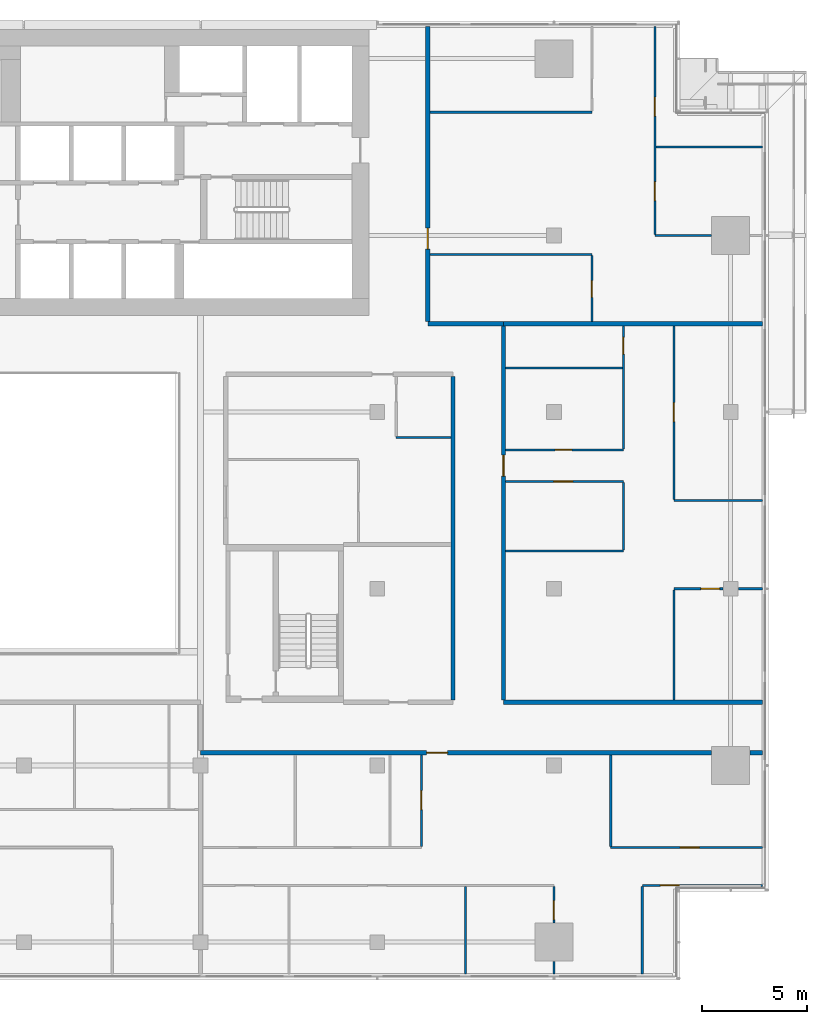
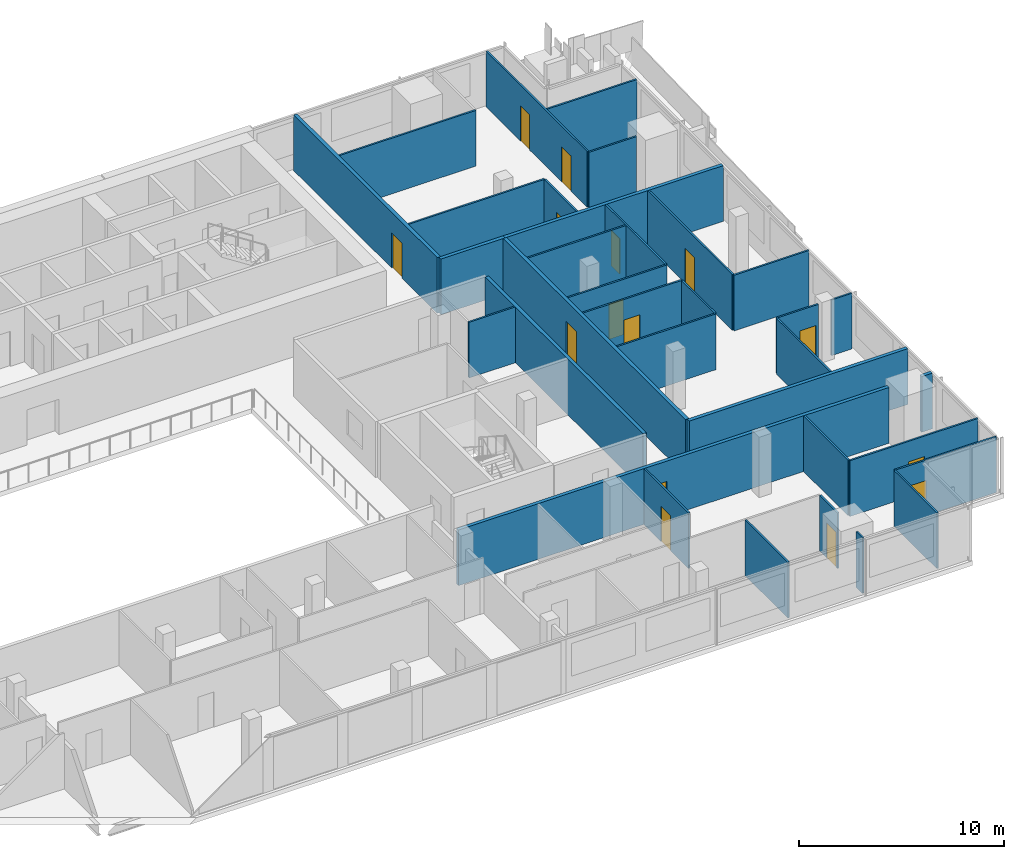
# One storey, part 22 of 29: 34 walls, 15 doors, 15 openings.
"""IFC4 building model written with IfcOpenShell, lengths in metres."""

from ifc_helpers import new_model, si_unit, direction, frame, frame_2d, origin, place, context, subcontext, project, spatial, rectangle, extrude, material, layer, layer_set, type_object, element, fill, save


model = new_model("IFC4")

# Units and contexts
model_context = context("Model", 3, precision=1e-05, world=origin(), true_north=direction((0.0, 1.0)))
body_context = subcontext(model_context, "Body", "Model", "MODEL_VIEW")
ifc_project = project(units=[si_unit("LENGTHUNIT", "METRE"), si_unit("AREAUNIT", "SQUARE_METRE"), si_unit("VOLUMEUNIT", "CUBIC_METRE"), si_unit("PLANEANGLEUNIT", "RADIAN"), si_unit("MASSUNIT", "GRAM", prefix="KILO")], contexts=[model_context])

# Site, building, storey
site_placement = place(None, origin())
site = spatial("IfcSite", under=ifc_project, at=site_placement, CompositionType="ELEMENT")
building_placement = place(site_placement, origin())
building = spatial("IfcBuilding", under=site, at=building_placement, Name="Saffron Gate Tower", CompositionType="ELEMENT")
storey_placement = place(building_placement, frame((0.0, 0.0, 187.050048828125)))
storey = spatial("IfcBuildingStorey", under=building, at=storey_placement, Name="L46", CompositionType="ELEMENT", Elevation=187.050048828125)

# Wall, opening, door
ifc_material_1 = material(Name="Plasterboard on steel studs", Category="steel")
ifc_layer_1 = layer(ifc_material_1, 0.10009765625)
ifc_layer_set_1 = layer_set([ifc_layer_1], Name="PW1 Partition 100")
wall_type_1 = type_object("IfcWallType", Name="PW1 Partition 100", PredefinedType="PARTITIONING", material=ifc_layer_set_1)
wall_1_placement = place(storey_placement, frame((126.919921875, 34.5, 0.0), z_axis=(0.0, 0.0, 1.0), x_axis=(-1.0, 0.0, 0.0)))
wall_1 = element("IfcWall", 1, at=wall_1_placement, inside=storey, type_object=wall_type_1, Name="Partition C4-2", PredefinedType="PARTITIONING", context=body_context, shape_type="SweptSolid", body=[
    extrude(rectangle(XDim=5.719970703125, YDim=0.10009765625, at=frame_2d((2.85986328125, 0.0))), origin(), (0.0, 0.0, 1.0), 3.320068359375),
])
opening_1_placement = place(wall_1_placement, frame((3.96630859375, 0.0, 0.0)))
opening_1 = element("IfcOpeningElement", 2, at=opening_1_placement, cuts=wall_1, Name="Opening C4-23", PredefinedType="OPENING", context=body_context, shape_type="SweptSolid", body=[
    extrude(rectangle(XDim=0.89990234375, YDim=2.10009765625, at=frame_2d((0.449951171875, 1.050048828125))), frame((0.0, 0.06005859375, 0.0), z_axis=(0.0, -1.0, 0.0), x_axis=(1.0, 0.0, 0.0)), (0.0, 0.0, 1.0), 0.1201171875),
])
ifc_material_2 = material(Name="Timber door set", Category="wood")
door_type_1 = type_object("IfcDoorType", Name="RD1 Room door 900x2100", OperationType="NOTDEFINED", PredefinedType="DOOR", material=ifc_material_2)
door_1_placement = place(opening_1_placement, origin())
door_1 = element("IfcDoor", 3, at=door_1_placement, inside=storey, type_object=door_type_1, Name="Door C4-23", OperationType="SINGLE_SWING_RIGHT", OverallHeight=2.10009765625, OverallWidth=0.89990234375, PredefinedType="DOOR", context=body_context, shape_type="SweptSolid", body=[
    extrude(rectangle(XDim=0.89990234375, YDim=2.10009765625, at=frame_2d((0.449951171875, 1.050048828125))), frame((0.0, 0.02490234375, 0.0), z_axis=(0.0, -1.0, 0.0), x_axis=(1.0, 0.0, 0.0)), (0.0, 0.0, 1.0), 0.050048828125),
])
fill(opening_1, door_1)

wall_2_placement = place(storey_placement, frame((119.699951171875, 36.300048828125, 0.0), z_axis=(0.0, 0.0, 1.0), x_axis=(1.0, 0.0, 0.0)))
wall_2 = element("IfcWall", 4, at=wall_2_placement, inside=storey, type_object=wall_type_1, Name="Partition C4-7", PredefinedType="PARTITIONING", context=body_context, shape_type="SweptSolid", body=[
    extrude(rectangle(XDim=7.219970703125, YDim=0.10009765625, at=frame_2d((3.60986328125, 0.0))), origin(), (0.0, 0.0, 1.0), 3.320068359375),
])
opening_2_placement = place(wall_2_placement, frame((3.300048828125, 0.0, 0.0)))
opening_2 = element("IfcOpeningElement", 5, at=opening_2_placement, cuts=wall_2, Name="Opening C4-24", PredefinedType="OPENING", context=body_context, shape_type="SweptSolid", body=[
    extrude(rectangle(XDim=0.89990234375, YDim=2.10009765625, at=frame_2d((0.449951171875, 1.050048828125))), frame((0.0, 0.06005859375, 0.0), z_axis=(0.0, -1.0, 0.0), x_axis=(1.0, 0.0, 0.0)), (0.0, 0.0, 1.0), 0.1201171875),
])
door_2_placement = place(opening_2_placement, origin())
door_2 = element("IfcDoor", 6, at=door_2_placement, inside=storey, type_object=door_type_1, Name="Door C4-24", OperationType="SINGLE_SWING_RIGHT", OverallHeight=2.10009765625, OverallWidth=0.89990234375, PredefinedType="DOOR", context=body_context, shape_type="SweptSolid", body=[
    extrude(rectangle(XDim=0.89990234375, YDim=2.10009765625, at=frame_2d((0.449951171875, 1.050048828125))), frame((0.0, 0.02490234375, 0.0), z_axis=(0.0, -1.0, 0.0), x_axis=(1.0, 0.0, 0.0)), (0.0, 0.0, 1.0), 0.050048828125),
])
fill(opening_2, door_2)

wall_3_placement = place(storey_placement, frame((125.030029296875, 48.60009765625, 0.0), z_axis=(0.0, 0.0, 1.0), x_axis=(-1.0, 0.0, 0.0)))
wall_3 = element("IfcWall", 7, at=wall_3_placement, inside=storey, type_object=wall_type_1, Name="Partition C4-24", PredefinedType="PARTITIONING", context=body_context, shape_type="SweptSolid", body=[
    extrude(rectangle(XDim=2.330078125, YDim=0.10009765625, at=frame_2d((1.1650390625, 0.0))), origin(), (0.0, 0.0, 1.0), 3.320068359375),
])
opening_3_placement = place(wall_3_placement, frame((0.14990234375, 0.0, 0.0)))
opening_3 = element("IfcOpeningElement", 8, at=opening_3_placement, cuts=wall_3, Name="Opening C4-32", PredefinedType="OPENING", context=body_context, shape_type="SweptSolid", body=[
    extrude(rectangle(XDim=0.89990234375, YDim=2.10009765625, at=frame_2d((0.449951171875, 1.050048828125))), frame((0.0, 0.06005859375, 0.0), z_axis=(0.0, -1.0, 0.0), x_axis=(1.0, 0.0, 0.0)), (0.0, 0.0, 1.0), 0.1201171875),
])
door_3_placement = place(opening_3_placement, origin())
door_3 = element("IfcDoor", 9, at=door_3_placement, inside=storey, type_object=door_type_1, Name="Door C4-32", OperationType="SINGLE_SWING_LEFT", OverallHeight=2.10009765625, OverallWidth=0.89990234375, PredefinedType="DOOR", context=body_context, shape_type="SweptSolid", body=[
    extrude(rectangle(XDim=0.89990234375, YDim=2.10009765625, at=frame_2d((0.449951171875, 1.050048828125))), frame((0.0, 0.02490234375, 0.0), z_axis=(0.0, -1.0, 0.0), x_axis=(1.0, 0.0, 0.0)), (0.0, 0.0, 1.0), 0.050048828125),
])
fill(opening_3, door_3)

# Walls
wall_4_placement = place(storey_placement, frame((125.77001953125, 48.60009765625, 0.0), z_axis=(0.0, 0.0, 1.0), x_axis=(1.0, 0.0, 0.0)))
element("IfcWall", 10, at=wall_4_placement, inside=storey, type_object=wall_type_1, Name="Partition C4-25", PredefinedType="PARTITIONING", context=body_context, shape_type="SweptSolid", body=[
    extrude(rectangle(XDim=1.14990234375, YDim=0.10009765625, at=frame_2d((0.574951171875, 0.0))), origin(), (0.0, 0.0, 1.0), 3.320068359375),
])
wall_5_placement = place(storey_placement, frame((114.699951171875, 50.39306640625, 0.0), z_axis=(0.0, 0.0, 1.0), x_axis=(1.0, 0.0, 0.0)))
element("IfcWall", 11, at=wall_5_placement, inside=storey, type_object=wall_type_1, Name="Partition C4-26", PredefinedType="PARTITIONING", context=body_context, shape_type="SweptSolid", body=[
    extrude(rectangle(XDim=5.60009765625, YDim=0.10009765625, at=frame_2d((2.800048828125, 0.0))), origin(), (0.0, 0.0, 1.0), 3.320068359375),
])
wall_6_placement = place(storey_placement, frame((122.699951171875, 52.800048828125, 0.0), z_axis=(0.0, 0.0, 1.0), x_axis=(1.0, 0.0, 0.0)))
element("IfcWall", 12, at=wall_6_placement, inside=storey, type_object=wall_type_1, Name="Partition C4-30", PredefinedType="PARTITIONING", context=body_context, shape_type="SweptSolid", body=[
    extrude(rectangle(XDim=4.219970703125, YDim=0.10009765625, at=frame_2d((2.10986328125, 0.0))), origin(), (0.0, 0.0, 1.0), 3.320068359375),
])

# Wall, opening, door
wall_7_placement = place(storey_placement, frame((120.300048828125, 53.699951171875, 0.0), z_axis=(0.0, 0.0, 1.0), x_axis=(-1.0, 0.0, 0.0)))
wall_7 = element("IfcWall", 13, at=wall_7_placement, inside=storey, type_object=wall_type_1, Name="Partition C4-31", PredefinedType="PARTITIONING", context=body_context, shape_type="SweptSolid", body=[
    extrude(rectangle(XDim=5.60009765625, YDim=0.10009765625, at=frame_2d((2.800048828125, 0.0))), origin(), (0.0, 0.0, 1.0), 3.320068359375),
])
opening_4_placement = place(wall_7_placement, frame((2.39990234375, 0.0, 0.0)))
opening_4 = element("IfcOpeningElement", 14, at=opening_4_placement, cuts=wall_7, Name="Opening C4-34", PredefinedType="OPENING", context=body_context, shape_type="SweptSolid", body=[
    extrude(rectangle(XDim=0.89990234375, YDim=2.10009765625, at=frame_2d((0.449951171875, 1.050048828125))), frame((0.0, 0.06005859375, 0.0), z_axis=(0.0, -1.0, 0.0), x_axis=(1.0, 0.0, 0.0)), (0.0, 0.0, 1.0), 0.1201171875),
])
door_4_placement = place(opening_4_placement, origin())
door_4 = element("IfcDoor", 15, at=door_4_placement, inside=storey, type_object=door_type_1, Name="Door C4-34", OperationType="SINGLE_SWING_RIGHT", OverallHeight=2.10009765625, OverallWidth=0.89990234375, PredefinedType="DOOR", context=body_context, shape_type="SweptSolid", body=[
    extrude(rectangle(XDim=0.89990234375, YDim=2.10009765625, at=frame_2d((0.449951171875, 1.050048828125))), frame((0.0, 0.02490234375, 0.0), z_axis=(0.0, -1.0, 0.0), x_axis=(1.0, 0.0, 0.0)), (0.0, 0.0, 1.0), 0.050048828125),
])
fill(opening_4, door_4)

wall_8_placement = place(storey_placement, frame((114.699951171875, 55.199951171875, 0.0), z_axis=(0.0, 0.0, 1.0), x_axis=(1.0, 0.0, 0.0)))
wall_8 = element("IfcWall", 16, at=wall_8_placement, inside=storey, type_object=wall_type_1, Name="Partition C4-34", PredefinedType="PARTITIONING", context=body_context, shape_type="SweptSolid", body=[
    extrude(rectangle(XDim=5.60009765625, YDim=0.10009765625, at=frame_2d((2.800048828125, 0.0))), origin(), (0.0, 0.0, 1.0), 3.320068359375),
])
opening_5_placement = place(wall_8_placement, frame((2.35009765625, 0.0, 0.0)))
opening_5 = element("IfcOpeningElement", 17, at=opening_5_placement, cuts=wall_8, Name="Opening C4-49", PredefinedType="OPENING", context=body_context, shape_type="SweptSolid", body=[
    extrude(rectangle(XDim=0.800048828125, YDim=2.10009765625, at=frame_2d((0.39990234375, 1.050048828125))), frame((0.0, 0.06005859375, 0.0), z_axis=(0.0, -1.0, 0.0), x_axis=(1.0, 0.0, 0.0)), (0.0, 0.0, 1.0), 0.1201171875),
])
door_type_2 = type_object("IfcDoorType", Name="RD2 Bathroom door 800x2100", OperationType="NOTDEFINED", PredefinedType="DOOR", material=ifc_material_2)
door_5_placement = place(opening_5_placement, origin())
door_5 = element("IfcDoor", 18, at=door_5_placement, inside=storey, type_object=door_type_2, Name="Door C4-49", OperationType="SINGLE_SWING_LEFT", OverallHeight=2.10009765625, OverallWidth=0.800048828125, PredefinedType="DOOR", context=body_context, shape_type="SweptSolid", body=[
    extrude(rectangle(XDim=0.800048828125, YDim=2.10009765625, at=frame_2d((0.39990234375, 1.050048828125))), frame((0.0, 0.02490234375, 0.0), z_axis=(0.0, -1.0, 0.0), x_axis=(1.0, 0.0, 0.0)), (0.0, 0.0, 1.0), 0.050048828125),
])
fill(opening_5, door_5)

# Walls
wall_9_placement = place(storey_placement, frame((109.5, 55.800048828125, 0.0), z_axis=(0.0, 0.0, 1.0), x_axis=(1.0, 0.0, 0.0)))
element("IfcWall", 19, at=wall_9_placement, inside=storey, type_object=wall_type_1, Name="Partition C4-36", PredefinedType="PARTITIONING", context=body_context, shape_type="SweptSolid", body=[
    extrude(rectangle(XDim=2.60009765625, YDim=0.10009765625, at=frame_2d((1.300048828125, 0.0))), origin(), (0.0, 0.0, 1.0), 3.320068359375),
])
wall_10_placement = place(storey_placement, frame((114.699951171875, 59.10009765625, 0.0), z_axis=(0.0, 0.0, 1.0), x_axis=(1.0, 0.0, 0.0)))
element("IfcWall", 20, at=wall_10_placement, inside=storey, type_object=wall_type_1, Name="Partition C4-41", PredefinedType="PARTITIONING", context=body_context, shape_type="SweptSolid", body=[
    extrude(rectangle(XDim=5.550048828125, YDim=0.10009765625, at=frame_2d((2.77490234375, 0.0))), origin(), (0.0, 0.0, 1.0), 3.320068359375),
])
wall_11_placement = place(storey_placement, frame((111.10009765625, 64.5, 0.0), z_axis=(0.0, 0.0, 1.0), x_axis=(1.0, 0.0, 0.0)))
element("IfcWall", 21, at=wall_11_placement, inside=storey, type_object=wall_type_1, Name="Partition C4-48", PredefinedType="PARTITIONING", context=body_context, shape_type="SweptSolid", body=[
    extrude(rectangle(XDim=7.699951171875, YDim=0.10009765625, at=frame_2d((3.85009765625, 0.0))), origin(), (0.0, 0.0, 1.0), 3.320068359375),
])
wall_12_placement = place(storey_placement, frame((121.800048828125, 65.39990234375, 0.0), z_axis=(0.0, 0.0, 1.0), x_axis=(1.0, 0.0, 0.0)))
element("IfcWall", 22, at=wall_12_placement, inside=storey, type_object=wall_type_1, Name="Partition C4-51", PredefinedType="PARTITIONING", context=body_context, shape_type="SweptSolid", body=[
    extrude(rectangle(XDim=2.679931640625, YDim=0.10009765625, at=frame_2d((1.33984375, 0.0))), origin(), (0.0, 0.0, 1.0), 3.320068359375),
])
wall_13_placement = place(storey_placement, frame((121.85009765625, 69.60009765625, 0.0), z_axis=(0.0, 0.0, 1.0), x_axis=(1.0, 0.0, 0.0)))
element("IfcWall", 23, at=wall_13_placement, inside=storey, type_object=wall_type_1, Name="Partition C4-54", PredefinedType="PARTITIONING", context=body_context, shape_type="SweptSolid", body=[
    extrude(rectangle(XDim=5.06982421875, YDim=0.10009765625, at=frame_2d((2.534912109375, 0.0))), origin(), (0.0, 0.0, 1.0), 3.320068359375),
])
wall_14_placement = place(storey_placement, frame((111.10009765625, 71.25634765625, 0.0), z_axis=(0.0, 0.0, 1.0), x_axis=(1.0, 0.0, 0.0)))
element("IfcWall", 24, at=wall_14_placement, inside=storey, type_object=wall_type_1, Name="Partition C4-56", PredefinedType="PARTITIONING", context=body_context, shape_type="SweptSolid", body=[
    extrude(rectangle(XDim=7.699951171875, YDim=0.10009765625, at=frame_2d((3.85009765625, 0.0))), origin(), (0.0, 0.0, 1.0), 3.320068359375),
])

# Wall, opening, door
wall_15_placement = place(storey_placement, frame((110.699951171875, 36.35009765625, 0.0), z_axis=(0.0, 0.0, 1.0), x_axis=(0.0, 1.0, 0.0)))
wall_15 = element("IfcWall", 25, at=wall_15_placement, inside=storey, type_object=wall_type_1, Name="Partition C4-99", PredefinedType="PARTITIONING", context=body_context, shape_type="SweptSolid", body=[
    extrude(rectangle(XDim=4.349853515625, YDim=0.10009765625, at=frame_2d((2.1748046875, 0.0))), origin(), (0.0, 0.0, 1.0), 3.320068359375),
])
opening_6_placement = place(wall_15_placement, frame((1.75, 0.0, 0.0)))
opening_6 = element("IfcOpeningElement", 26, at=opening_6_placement, cuts=wall_15, Name="Opening C4-25", PredefinedType="OPENING", context=body_context, shape_type="SweptSolid", body=[
    extrude(rectangle(XDim=0.89990234375, YDim=2.10009765625, at=frame_2d((0.449951171875, 1.050048828125))), frame((0.0, 0.06005859375, 0.0), z_axis=(0.0, -1.0, 0.0), x_axis=(1.0, 0.0, 0.0)), (0.0, 0.0, 1.0), 0.1201171875),
])
door_6_placement = place(opening_6_placement, origin())
door_6 = element("IfcDoor", 27, at=door_6_placement, inside=storey, type_object=door_type_1, Name="Door C4-25", OperationType="SINGLE_SWING_RIGHT", OverallHeight=2.10009765625, OverallWidth=0.89990234375, PredefinedType="DOOR", context=body_context, shape_type="SweptSolid", body=[
    extrude(rectangle(XDim=0.89990234375, YDim=2.10009765625, at=frame_2d((0.449951171875, 1.050048828125))), frame((0.0, 0.02490234375, 0.0), z_axis=(0.0, -1.0, 0.0), x_axis=(1.0, 0.0, 0.0)), (0.0, 0.0, 1.0), 0.050048828125),
])
fill(opening_6, door_6)

# Walls
wall_16_placement = place(storey_placement, frame((112.800048828125, 34.449951171875, 0.0), z_axis=(0.0, 0.0, 1.0), x_axis=(0.0, -1.0, 0.0)))
element("IfcWall", 28, at=wall_16_placement, inside=storey, type_object=wall_type_1, Name="Partition C4-102", PredefinedType="PARTITIONING", context=body_context, shape_type="SweptSolid", body=[
    extrude(rectangle(XDim=4.169921875, YDim=0.10009765625, at=frame_2d((2.0849609375, 0.0))), origin(), (0.0, 0.0, 1.0), 3.320068359375),
])
wall_17_placement = place(storey_placement, frame((117.0, 30.8798828125, 0.0), z_axis=(0.0, 0.0, 1.0), x_axis=(0.0, -1.0, 0.0)))
element("IfcWall", 29, at=wall_17_placement, inside=storey, type_object=wall_type_1, Name="Partition C4-104", PredefinedType="PARTITIONING", context=body_context, shape_type="SweptSolid", body=[
    extrude(rectangle(XDim=0.599853515625, YDim=0.10009765625, at=frame_2d((0.2998046875, 0.0))), origin(), (0.0, 0.0, 1.0), 3.320068359375),
])

# Wall, opening, door
wall_18_placement = place(storey_placement, frame((117.0, 32.719970703125, 0.0), z_axis=(0.0, 0.0, 1.0), x_axis=(0.0, 1.0, 0.0)))
wall_18 = element("IfcWall", 30, at=wall_18_placement, inside=storey, type_object=wall_type_1, Name="Partition C4-105", PredefinedType="PARTITIONING", context=body_context, shape_type="SweptSolid", body=[
    extrude(rectangle(XDim=1.72998046875, YDim=0.10009765625, at=frame_2d((0.864990234375, 0.0))), origin(), (0.0, 0.0, 1.0), 3.320068359375),
])
opening_7_placement = place(wall_18_placement, frame((0.14990234375, 0.0, 0.0)))
opening_7 = element("IfcOpeningElement", 31, at=opening_7_placement, cuts=wall_18, Name="Opening C4-22", PredefinedType="OPENING", context=body_context, shape_type="SweptSolid", body=[
    extrude(rectangle(XDim=0.89990234375, YDim=2.10009765625, at=frame_2d((0.449951171875, 1.050048828125))), frame((0.0, 0.06005859375, 0.0), z_axis=(0.0, -1.0, 0.0), x_axis=(1.0, 0.0, 0.0)), (0.0, 0.0, 1.0), 0.1201171875),
])
door_7_placement = place(opening_7_placement, origin())
door_7 = element("IfcDoor", 32, at=door_7_placement, inside=storey, type_object=door_type_1, Name="Door C4-22", OperationType="SINGLE_SWING_LEFT", OverallHeight=2.10009765625, OverallWidth=0.89990234375, PredefinedType="DOOR", context=body_context, shape_type="SweptSolid", body=[
    extrude(rectangle(XDim=0.89990234375, YDim=2.10009765625, at=frame_2d((0.449951171875, 1.050048828125))), frame((0.0, 0.02490234375, 0.0), z_axis=(0.0, -1.0, 0.0), x_axis=(1.0, 0.0, 0.0)), (0.0, 0.0, 1.0), 0.050048828125),
])
fill(opening_7, door_7)

wall_19_placement = place(storey_placement, frame((118.800048828125, 61.300048828125, 0.0), z_axis=(0.0, 0.0, 1.0), x_axis=(0.0, 1.0, 0.0)))
wall_19 = element("IfcWall", 33, at=wall_19_placement, inside=storey, type_object=wall_type_1, Name="Partition C4-106", PredefinedType="PARTITIONING", context=body_context, shape_type="SweptSolid", body=[
    extrude(rectangle(XDim=3.14990234375, YDim=0.10009765625, at=frame_2d((1.574951171875, 0.0))), origin(), (0.0, 0.0, 1.0), 3.320068359375),
])
opening_8_placement = place(wall_19_placement, frame((1.14990234375, 0.0, 0.0)))
opening_8 = element("IfcOpeningElement", 34, at=opening_8_placement, cuts=wall_19, Name="Opening C4-51", PredefinedType="OPENING", context=body_context, shape_type="SweptSolid", body=[
    extrude(rectangle(XDim=0.800048828125, YDim=2.10009765625, at=frame_2d((0.39990234375, 1.050048828125))), frame((0.0, 0.06005859375, 0.0), z_axis=(0.0, -1.0, 0.0), x_axis=(1.0, 0.0, 0.0)), (0.0, 0.0, 1.0), 0.1201171875),
])
door_8_placement = place(opening_8_placement, origin())
door_8 = element("IfcDoor", 35, at=door_8_placement, inside=storey, type_object=door_type_2, Name="Door C4-51", OperationType="SINGLE_SWING_LEFT", OverallHeight=2.10009765625, OverallWidth=0.800048828125, PredefinedType="DOOR", context=body_context, shape_type="SweptSolid", body=[
    extrude(rectangle(XDim=0.800048828125, YDim=2.10009765625, at=frame_2d((0.39990234375, 1.050048828125))), frame((0.0, 0.02490234375, 0.0), z_axis=(0.0, -1.0, 0.0), x_axis=(1.0, 0.0, 0.0)), (0.0, 0.0, 1.0), 0.050048828125),
])
fill(opening_8, door_8)

# Walls
wall_20_placement = place(storey_placement, frame((119.699951171875, 40.699951171875, 0.0), z_axis=(0.0, 0.0, 1.0), x_axis=(0.0, -1.0, 0.0)))
element("IfcWall", 36, at=wall_20_placement, inside=storey, type_object=wall_type_1, Name="Partition C4-108", PredefinedType="PARTITIONING", context=body_context, shape_type="SweptSolid", body=[
    extrude(rectangle(XDim=4.349853515625, YDim=0.10009765625, at=frame_2d((2.1748046875, 0.0))), origin(), (0.0, 0.0, 1.0), 3.320068359375),
])
wall_21_placement = place(storey_placement, frame((120.300048828125, 53.64990234375, 0.0), z_axis=(0.0, 0.0, 1.0), x_axis=(0.0, -1.0, 0.0)))
element("IfcWall", 37, at=wall_21_placement, inside=storey, type_object=wall_type_1, Name="Partition C4-109", PredefinedType="PARTITIONING", context=body_context, shape_type="SweptSolid", body=[
    extrude(rectangle(XDim=3.206787109375, YDim=0.10009765625, at=frame_2d((1.603515625, 0.0))), origin(), (0.0, 0.0, 1.0), 3.320068359375),
])

# Wall, opening, door
wall_22_placement = place(storey_placement, frame((120.300048828125, 55.25, 0.0), z_axis=(0.0, 0.0, 1.0), x_axis=(0.0, 1.0, 0.0)))
wall_22 = element("IfcWall", 38, at=wall_22_placement, inside=storey, type_object=wall_type_1, Name="Partition C4-110", PredefinedType="PARTITIONING", context=body_context, shape_type="SweptSolid", body=[
    extrude(rectangle(XDim=5.85009765625, YDim=0.10009765625, at=frame_2d((2.925048828125, 0.0))), origin(), (0.0, 0.0, 1.0), 3.320068359375),
])
opening_9_placement = place(wall_22_placement, frame((4.5, 0.0, 0.0)))
opening_9 = element("IfcOpeningElement", 39, at=opening_9_placement, cuts=wall_22, Name="Opening C4-50", PredefinedType="OPENING", context=body_context, shape_type="SweptSolid", body=[
    extrude(rectangle(XDim=0.800048828125, YDim=2.10009765625, at=frame_2d((0.39990234375, 1.050048828125))), frame((0.0, 0.06005859375, 0.0), z_axis=(0.0, -1.0, 0.0), x_axis=(1.0, 0.0, 0.0)), (0.0, 0.0, 1.0), 0.1201171875),
])
door_9_placement = place(opening_9_placement, origin())
door_9 = element("IfcDoor", 40, at=door_9_placement, inside=storey, type_object=door_type_2, Name="Door C4-50", OperationType="SINGLE_SWING_RIGHT", OverallHeight=2.10009765625, OverallWidth=0.800048828125, PredefinedType="DOOR", context=body_context, shape_type="SweptSolid", body=[
    extrude(rectangle(XDim=0.800048828125, YDim=2.10009765625, at=frame_2d((0.39990234375, 1.050048828125))), frame((0.0, 0.02490234375, 0.0), z_axis=(0.0, -1.0, 0.0), x_axis=(1.0, 0.0, 0.0)), (0.0, 0.0, 1.0), 0.050048828125),
])
fill(opening_9, door_9)

# Wall
wall_23_placement = place(storey_placement, frame((121.199951171875, 34.449951171875, 0.0), z_axis=(0.0, 0.0, 1.0), x_axis=(0.0, -1.0, 0.0)))
element("IfcWall", 41, at=wall_23_placement, inside=storey, type_object=wall_type_1, Name="Partition C4-111", PredefinedType="PARTITIONING", context=body_context, shape_type="SweptSolid", body=[
    extrude(rectangle(XDim=4.169921875, YDim=0.10009765625, at=frame_2d((2.0849609375, 0.0))), origin(), (0.0, 0.0, 1.0), 3.320068359375),
])

# Wall, openings, doors
wall_24_placement = place(storey_placement, frame((121.800048828125, 75.320068359375, 0.0), z_axis=(0.0, 0.0, 1.0), x_axis=(0.0, -1.0, 0.0)))
wall_24 = element("IfcWall", 42, at=wall_24_placement, inside=storey, type_object=wall_type_1, Name="Partition C4-112", PredefinedType="PARTITIONING", context=body_context, shape_type="SweptSolid", body=[
    extrude(rectangle(XDim=9.8701171875, YDim=0.10009765625, at=frame_2d((4.93505859375, 0.0))), origin(), (0.0, 0.0, 1.0), 3.320068359375),
])
opening_10_placement = place(wall_24_placement, frame((3.345703125, 0.0, 0.0)))
opening_10 = element("IfcOpeningElement", 43, at=opening_10_placement, cuts=wall_24, Name="Opening C4-36", PredefinedType="OPENING", context=body_context, shape_type="SweptSolid", body=[
    extrude(rectangle(XDim=0.89990234375, YDim=2.10009765625, at=frame_2d((0.449951171875, 1.050048828125))), frame((0.0, 0.06005859375, 0.0), z_axis=(0.0, -1.0, 0.0), x_axis=(1.0, 0.0, 0.0)), (0.0, 0.0, 1.0), 0.1201171875),
])
opening_11_placement = place(wall_24_placement, frame((7.3701171875, 0.0, 0.0)))
opening_11 = element("IfcOpeningElement", 44, at=opening_11_placement, cuts=wall_24, Name="Opening C4-35", PredefinedType="OPENING", context=body_context, shape_type="SweptSolid", body=[
    extrude(rectangle(XDim=0.89990234375, YDim=2.10009765625, at=frame_2d((0.449951171875, 1.050048828125))), frame((0.0, 0.06005859375, 0.0), z_axis=(0.0, -1.0, 0.0), x_axis=(1.0, 0.0, 0.0)), (0.0, 0.0, 1.0), 0.1201171875),
])
door_10_placement = place(opening_10_placement, origin())
door_10 = element("IfcDoor", 45, at=door_10_placement, inside=storey, type_object=door_type_1, Name="Door C4-36", OperationType="SINGLE_SWING_RIGHT", OverallHeight=2.10009765625, OverallWidth=0.89990234375, PredefinedType="DOOR", context=body_context, shape_type="SweptSolid", body=[
    extrude(rectangle(XDim=0.89990234375, YDim=2.10009765625, at=frame_2d((0.449951171875, 1.050048828125))), frame((0.0, 0.02490234375, 0.0), z_axis=(0.0, -1.0, 0.0), x_axis=(1.0, 0.0, 0.0)), (0.0, 0.0, 1.0), 0.050048828125),
])
fill(opening_10, door_10)
door_11_placement = place(opening_11_placement, origin())
door_11 = element("IfcDoor", 46, at=door_11_placement, inside=storey, type_object=door_type_1, Name="Door C4-35", OperationType="SINGLE_SWING_RIGHT", OverallHeight=2.10009765625, OverallWidth=0.89990234375, PredefinedType="DOOR", context=body_context, shape_type="SweptSolid", body=[
    extrude(rectangle(XDim=0.89990234375, YDim=2.10009765625, at=frame_2d((0.449951171875, 1.050048828125))), frame((0.0, 0.02490234375, 0.0), z_axis=(0.0, -1.0, 0.0), x_axis=(1.0, 0.0, 0.0)), (0.0, 0.0, 1.0), 0.050048828125),
])
fill(opening_11, door_11)

# Wall
wall_25_placement = place(storey_placement, frame((122.699951171875, 48.550048828125, 0.0), z_axis=(0.0, 0.0, 1.0), x_axis=(0.0, -1.0, 0.0)))
element("IfcWall", 47, at=wall_25_placement, inside=storey, type_object=wall_type_1, Name="Partition C4-113", PredefinedType="PARTITIONING", context=body_context, shape_type="SweptSolid", body=[
    extrude(rectangle(XDim=5.25, YDim=0.10009765625, at=frame_2d((2.625, 0.0))), origin(), (0.0, 0.0, 1.0), 3.320068359375),
])

# Wall, opening, door
wall_26_placement = place(storey_placement, frame((122.699951171875, 61.10009765625, 0.0), z_axis=(0.0, 0.0, 1.0), x_axis=(0.0, -1.0, 0.0)))
wall_26 = element("IfcWall", 48, at=wall_26_placement, inside=storey, type_object=wall_type_1, Name="Partition C4-114", PredefinedType="PARTITIONING", context=body_context, shape_type="SweptSolid", body=[
    extrude(rectangle(XDim=8.25, YDim=0.10009765625, at=frame_2d((4.125, 0.0))), origin(), (0.0, 0.0, 1.0), 3.320068359375),
])
opening_12_placement = place(wall_26_placement, frame((3.64990234375, 0.0, 0.0)))
opening_12 = element("IfcOpeningElement", 49, at=opening_12_placement, cuts=wall_26, Name="Opening C4-33", PredefinedType="OPENING", context=body_context, shape_type="SweptSolid", body=[
    extrude(rectangle(XDim=0.89990234375, YDim=2.10009765625, at=frame_2d((0.449951171875, 1.050048828125))), frame((0.0, 0.06005859375, 0.0), z_axis=(0.0, -1.0, 0.0), x_axis=(1.0, 0.0, 0.0)), (0.0, 0.0, 1.0), 0.1201171875),
])
door_12_placement = place(opening_12_placement, origin())
door_12 = element("IfcDoor", 50, at=door_12_placement, inside=storey, type_object=door_type_1, Name="Door C4-33", OperationType="SINGLE_SWING_LEFT", OverallHeight=2.10009765625, OverallWidth=0.89990234375, PredefinedType="DOOR", context=body_context, shape_type="SweptSolid", body=[
    extrude(rectangle(XDim=0.89990234375, YDim=2.10009765625, at=frame_2d((0.449951171875, 1.050048828125))), frame((0.0, 0.02490234375, 0.0), z_axis=(0.0, -1.0, 0.0), x_axis=(1.0, 0.0, 0.0)), (0.0, 0.0, 1.0), 0.050048828125),
])
fill(opening_12, door_12)

# Wall
ifc_material_3 = material(Name="Clay brick masonry, rendered", Category="masonry")
ifc_layer_2 = layer(ifc_material_3, 0.199951171875)
ifc_layer_set_2 = layer_set([ifc_layer_2], Name="PW2 Demising wall 200")
wall_type_2 = type_object("IfcWallType", Name="PW2 Demising wall 200", PredefinedType="PARTITIONING", material=ifc_layer_set_2)
wall_27_placement = place(storey_placement, frame((114.60009765625, 61.199951171875, 0.0), z_axis=(0.0, 0.0, 1.0), x_axis=(1.0, 0.0, 0.0)))
element("IfcWall", 51, at=wall_27_placement, inside=storey, type_object=wall_type_2, Name="Wall C4-46", PredefinedType="PARTITIONING", context=body_context, shape_type="SweptSolid", body=[
    extrude(rectangle(XDim=12.31982421875, YDim=0.199951171875, at=frame_2d((6.159912109375, 0.0))), origin(), (0.0, 0.0, 1.0), 3.320068359375),
])

# Wall, opening, door
ifc_layer_3 = layer(ifc_material_3, 0.199951171875)
ifc_layer_set_3 = layer_set([ifc_layer_3], Name="PW3 Corridor wall 200")
wall_type_3 = type_object("IfcWallType", Name="PW3 Corridor wall 200", PredefinedType="PARTITIONING", material=ifc_layer_set_3)
wall_28_placement = place(storey_placement, frame((124.47998046875, 40.800048828125, 0.0), z_axis=(0.0, 0.0, 1.0), x_axis=(-1.0, 0.0, 0.0)))
wall_28 = element("IfcWall", 52, at=wall_28_placement, inside=storey, type_object=wall_type_3, Name="Wall C4-14", PredefinedType="PARTITIONING", context=body_context, shape_type="SweptSolid", body=[
    extrude(rectangle(XDim=24.280029296875, YDim=0.199951171875, at=frame_2d((12.14013671875, 0.0))), origin(), (0.0, 0.0, 1.0), 3.320068359375),
])
opening_13_placement = place(wall_28_placement, frame((12.530029296875, 0.0, 0.0)))
opening_13 = element("IfcOpeningElement", 53, at=opening_13_placement, cuts=wall_28, Name="Opening C4-3", PredefinedType="OPENING", context=body_context, shape_type="SweptSolid", body=[
    extrude(rectangle(XDim=1.0, YDim=2.10009765625, at=frame_2d((0.5, 1.050048828125))), frame((0.0, 0.10986328125, 0.0), z_axis=(0.0, -1.0, 0.0), x_axis=(1.0, 0.0, 0.0)), (0.0, 0.0, 1.0), 0.219970703125),
])
ifc_material_4 = material(Name="Timber fire door set", Category="wood")
door_type_3 = type_object("IfcDoorType", Name="FD1 Flat entry door 1000x2100", OperationType="NOTDEFINED", PredefinedType="DOOR", material=ifc_material_4)
door_13_placement = place(opening_13_placement, origin())
door_13 = element("IfcDoor", 54, at=door_13_placement, inside=storey, type_object=door_type_3, Name="Door C4-3", OperationType="SINGLE_SWING_RIGHT", OverallHeight=2.10009765625, OverallWidth=1.0, PredefinedType="DOOR", context=body_context, shape_type="SweptSolid", body=[
    extrude(rectangle(XDim=1.0, YDim=2.10009765625, at=frame_2d((0.5, 1.050048828125))), frame((0.0, 0.02490234375, 0.0), z_axis=(0.0, -1.0, 0.0), x_axis=(1.0, 0.0, 0.0)), (0.0, 0.0, 1.0), 0.050048828125),
])
fill(opening_13, door_13)

# Walls
wall_29_placement = place(storey_placement, frame((126.320068359375, 40.800048828125, 0.0), z_axis=(0.0, 0.0, 1.0), x_axis=(1.0, 0.0, 0.0)))
element("IfcWall", 55, at=wall_29_placement, inside=storey, type_object=wall_type_3, Name="Wall C4-15", PredefinedType="PARTITIONING", context=body_context, shape_type="SweptSolid", body=[
    extrude(rectangle(XDim=0.599853515625, YDim=0.199951171875, at=frame_2d((0.2998046875, 0.0))), origin(), (0.0, 0.0, 1.0), 3.320068359375),
])
wall_30_placement = place(storey_placement, frame((114.60009765625, 43.199951171875, 0.0), z_axis=(0.0, 0.0, 1.0), x_axis=(1.0, 0.0, 0.0)))
element("IfcWall", 56, at=wall_30_placement, inside=storey, type_object=wall_type_3, Name="Wall C4-20", PredefinedType="PARTITIONING", context=body_context, shape_type="SweptSolid", body=[
    extrude(rectangle(XDim=12.31982421875, YDim=0.199951171875, at=frame_2d((6.159912109375, 0.0))), origin(), (0.0, 0.0, 1.0), 3.320068359375),
])
wall_31_placement = place(storey_placement, frame((111.0, 61.199951171875, 0.0), z_axis=(0.0, 0.0, 1.0), x_axis=(1.0, 0.0, 0.0)))
element("IfcWall", 57, at=wall_31_placement, inside=storey, type_object=wall_type_3, Name="Wall C4-44", PredefinedType="PARTITIONING", context=body_context, shape_type="SweptSolid", body=[
    extrude(rectangle(XDim=3.60009765625, YDim=0.199951171875, at=frame_2d((1.800048828125, 0.0))), origin(), (0.0, 0.0, 1.0), 3.320068359375),
])

# Wall, opening, door
wall_32_placement = place(storey_placement, frame((111.0, 75.320068359375, 0.0), z_axis=(0.0, 0.0, 1.0), x_axis=(0.0, -1.0, 0.0)))
wall_32 = element("IfcWall", 58, at=wall_32_placement, inside=storey, type_object=wall_type_3, Name="Wall C4-100", PredefinedType="PARTITIONING", context=body_context, shape_type="SweptSolid", body=[
    extrude(rectangle(XDim=14.02001953125, YDim=0.199951171875, at=frame_2d((7.010009765625, 0.0))), origin(), (0.0, 0.0, 1.0), 3.320068359375),
])
opening_14_placement = place(wall_32_placement, frame((9.570068359375, 0.0, 0.0)))
opening_14 = element("IfcOpeningElement", 59, at=opening_14_placement, cuts=wall_32, Name="Opening C4-7", PredefinedType="OPENING", context=body_context, shape_type="SweptSolid", body=[
    extrude(rectangle(XDim=1.0, YDim=2.10009765625, at=frame_2d((0.5, 1.050048828125))), frame((0.0, 0.10986328125, 0.0), z_axis=(0.0, -1.0, 0.0), x_axis=(1.0, 0.0, 0.0)), (0.0, 0.0, 1.0), 0.219970703125),
])
door_14_placement = place(opening_14_placement, origin())
door_14 = element("IfcDoor", 60, at=door_14_placement, inside=storey, type_object=door_type_3, Name="Door C4-7", OperationType="SINGLE_SWING_RIGHT", OverallHeight=2.10009765625, OverallWidth=1.0, PredefinedType="DOOR", context=body_context, shape_type="SweptSolid", body=[
    extrude(rectangle(XDim=1.0, YDim=2.10009765625, at=frame_2d((0.5, 1.050048828125))), frame((0.0, 0.02490234375, 0.0), z_axis=(0.0, -1.0, 0.0), x_axis=(1.0, 0.0, 0.0)), (0.0, 0.0, 1.0), 0.050048828125),
])
fill(opening_14, door_14)

# Wall
wall_33_placement = place(storey_placement, frame((112.199951171875, 58.699951171875, 0.0), z_axis=(0.0, 0.0, 1.0), x_axis=(0.0, -1.0, 0.0)))
element("IfcWall", 61, at=wall_33_placement, inside=storey, type_object=wall_type_3, Name="Wall C4-101", PredefinedType="PARTITIONING", context=body_context, shape_type="SweptSolid", body=[
    extrude(rectangle(XDim=15.39990234375, YDim=0.199951171875, at=frame_2d((7.699951171875, 0.0))), origin(), (0.0, 0.0, 1.0), 3.320068359375),
])

# Wall, opening, door
wall_34_placement = place(storey_placement, frame((114.60009765625, 61.10009765625, 0.0), z_axis=(0.0, 0.0, 1.0), x_axis=(0.0, -1.0, 0.0)))
wall_34 = element("IfcWall", 62, at=wall_34_placement, inside=storey, type_object=wall_type_3, Name="Wall C4-103", PredefinedType="PARTITIONING", context=body_context, shape_type="SweptSolid", body=[
    extrude(rectangle(XDim=17.800048828125, YDim=0.199951171875, at=frame_2d((8.89990234375, 0.0))), origin(), (0.0, 0.0, 1.0), 3.320068359375),
])
opening_15_placement = place(wall_34_placement, frame((6.14990234375, 0.0, 0.0)))
opening_15 = element("IfcOpeningElement", 63, at=opening_15_placement, cuts=wall_34, Name="Opening C4-6", PredefinedType="OPENING", context=body_context, shape_type="SweptSolid", body=[
    extrude(rectangle(XDim=1.0, YDim=2.10009765625, at=frame_2d((0.5, 1.050048828125))), frame((0.0, 0.10986328125, 0.0), z_axis=(0.0, -1.0, 0.0), x_axis=(1.0, 0.0, 0.0)), (0.0, 0.0, 1.0), 0.219970703125),
])
door_15_placement = place(opening_15_placement, origin())
door_15 = element("IfcDoor", 64, at=door_15_placement, inside=storey, type_object=door_type_3, Name="Door C4-6", OperationType="SINGLE_SWING_LEFT", OverallHeight=2.10009765625, OverallWidth=1.0, PredefinedType="DOOR", context=body_context, shape_type="SweptSolid", body=[
    extrude(rectangle(XDim=1.0, YDim=2.10009765625, at=frame_2d((0.5, 1.050048828125))), frame((0.0, 0.02490234375, 0.0), z_axis=(0.0, -1.0, 0.0), x_axis=(1.0, 0.0, 0.0)), (0.0, 0.0, 1.0), 0.050048828125),
])
fill(opening_15, door_15)

save(model, "model.ifc")
